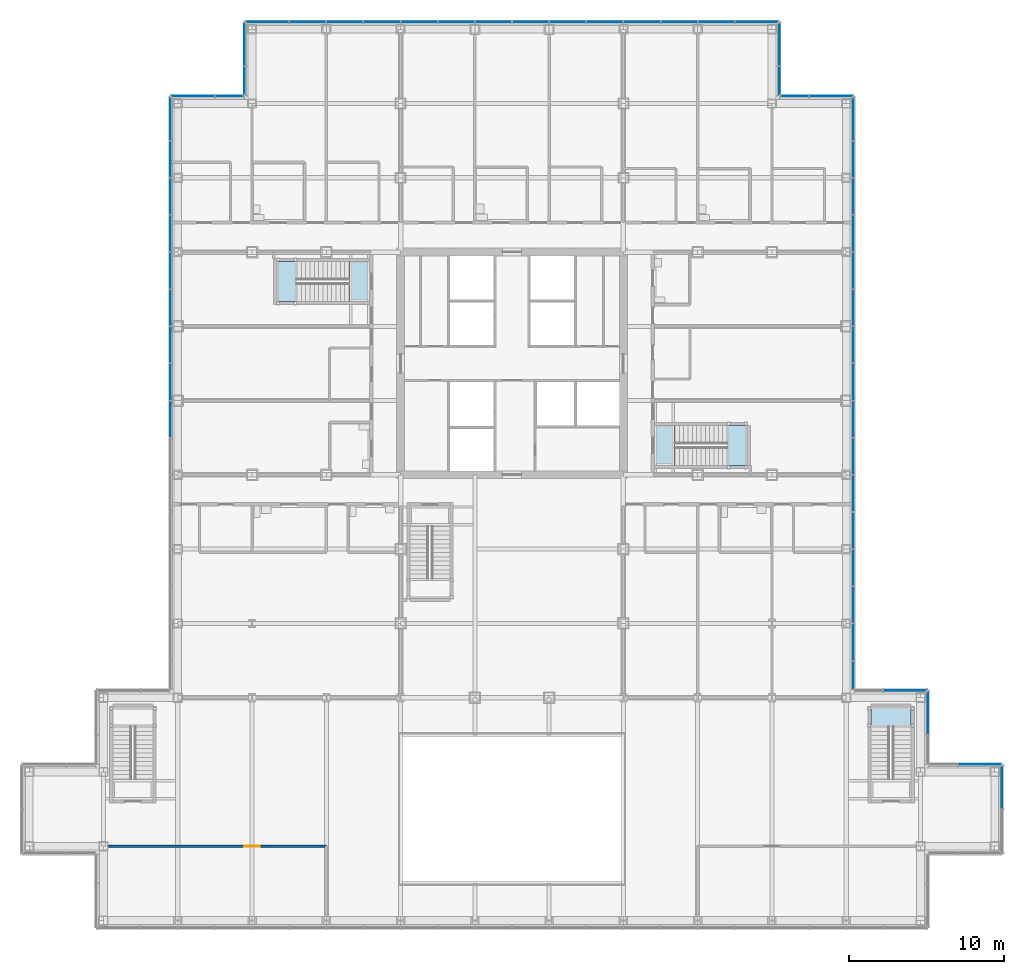
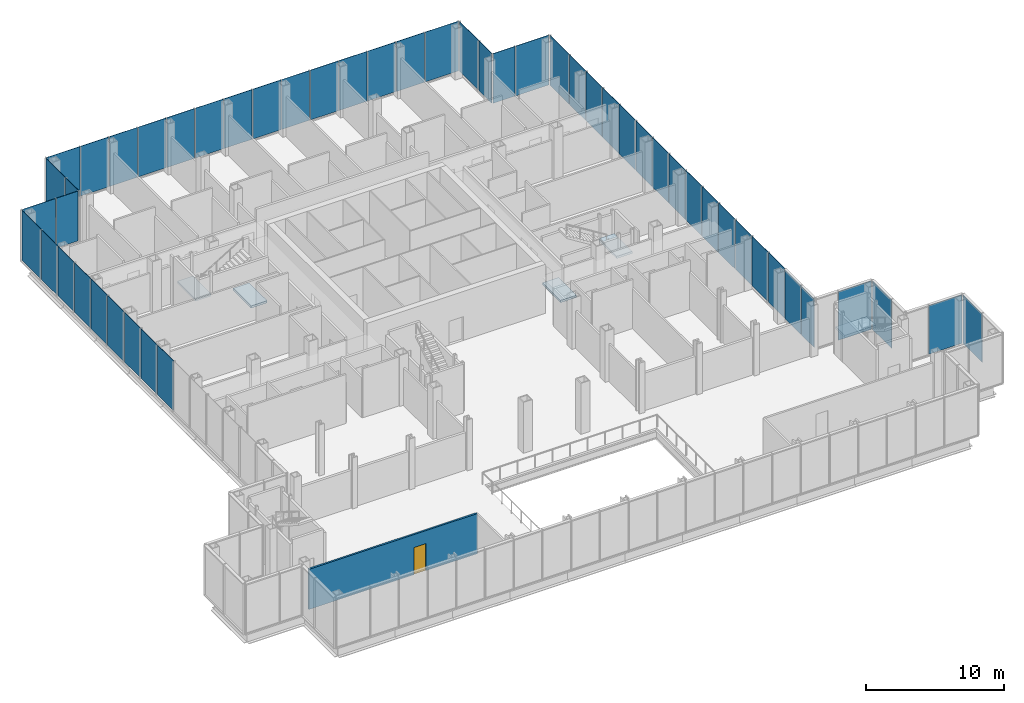
# One storey, part 19 of 26: 51 plates, 5 slabs, 1 door, 1 wall, 1 opening, 14 elements without a shape of their own.
"""IFC4 building model written with IfcOpenShell, lengths in metres."""

from ifc_helpers import new_model, si_unit, direction, frame, frame_2d, origin, origin_2d, place, context, subcontext, project, spatial, polyline, rectangle, outline, extrude, material, layer, layer_set, type_object, element, fill, aggregate, save


model = new_model("IFC4")

# Units and contexts
model_context = context("Model", 3, precision=1e-05, world=origin(), true_north=direction((0.0, 1.0)))
body_context = subcontext(model_context, "Body", "Model", "MODEL_VIEW")
ifc_project = project(units=[si_unit("LENGTHUNIT", "METRE"), si_unit("AREAUNIT", "SQUARE_METRE"), si_unit("VOLUMEUNIT", "CUBIC_METRE"), si_unit("PLANEANGLEUNIT", "RADIAN"), si_unit("MASSUNIT", "GRAM", prefix="KILO")], contexts=[model_context])

# Site, building, storey
site_placement = place(None, origin())
site = spatial("IfcSite", under=ifc_project, at=site_placement, CompositionType="ELEMENT")
building_placement = place(site_placement, origin())
building = spatial("IfcBuilding", under=site, at=building_placement, Name="Kvirike Care Tower", CompositionType="ELEMENT")
storey_placement = place(building_placement, frame((0.0, 0.0, 18.0)))
storey = spatial("IfcBuildingStorey", under=building, at=storey_placement, Name="L04", CompositionType="ELEMENT", Elevation=18.0)

# Curtain wall, plate
ifc_material_1 = material(Name="Anodised aluminium stick system", Category="aluminium")
curtain_wall_type = type_object("IfcCurtainWallType", Name="CW-P PODIUM STICK CURTAIN WALL", PredefinedType="NOTDEFINED", material=ifc_material_1)
curtain_wall_1_placement = place(storey_placement, origin())
curtain_wall_1 = element("IfcCurtainWall", 1, at=curtain_wall_1_placement, inside=storey, type_object=curtain_wall_type, Name="Curtain wall L04 face 4", PredefinedType="NOTDEFINED")
ifc_material_2 = material(Name="Tinted double glazed unit", Category="glass")
ifc_layer_1 = layer(ifc_material_2, 0.031982421875)
ifc_layer_set_1 = layer_set([ifc_layer_1], Name="PODIUM VISION PANEL 32")
plate_type = type_object("IfcPlateType", Name="PODIUM VISION PANEL 32", PredefinedType="CURTAIN_PANEL", material=ifc_layer_set_1)
plate_1_placement = place(storey_placement, frame((53.27490234375, 8.621337890625, 0.10009765625), z_axis=(0.0, 0.0, 1.0), x_axis=(0.0, 1.0, 0.0)))
plate_1 = element("IfcPlate", 2, at=plate_1_placement, type_object=plate_type, Name="CW-P panel L04 face 4.2", PredefinedType="CURTAIN_PANEL", context=body_context, shape_type="SweptSolid", body=[
    extrude(rectangle(XDim=2.777587890625, YDim=0.031982421875, at=origin_2d()), origin(), (0.0, 0.0, 1.0), 4.300048828125),
])
aggregate(curtain_wall_1, [plate_1])

curtain_wall_2_placement = place(storey_placement, origin())
curtain_wall_2 = element("IfcCurtainWall", 3, at=curtain_wall_2_placement, inside=storey, type_object=curtain_wall_type, Name="Curtain wall L04 face 5", PredefinedType="NOTDEFINED")
plate_2_placement = place(storey_placement, frame((51.8212890625, 10.074951171875, 0.10009765625), z_axis=(0.0, 0.0, 1.0), x_axis=(-1.0, 0.0, 0.0)))
plate_2 = element("IfcPlate", 4, at=plate_2_placement, type_object=plate_type, Name="CW-P panel L04 face 5.1", PredefinedType="CURTAIN_PANEL", context=body_context, shape_type="SweptSolid", body=[
    extrude(rectangle(XDim=2.777587890625, YDim=0.031982421875, at=origin_2d()), origin(), (0.0, 0.0, 1.0), 4.300048828125),
])
aggregate(curtain_wall_2, [plate_2])

curtain_wall_3_placement = place(storey_placement, origin())
curtain_wall_3 = element("IfcCurtainWall", 5, at=curtain_wall_3_placement, inside=storey, type_object=curtain_wall_type, Name="Curtain wall L04 face 6", PredefinedType="NOTDEFINED")
plate_3_placement = place(storey_placement, frame((48.47509765625, 13.421142578125, 0.10009765625), z_axis=(0.0, 0.0, 1.0), x_axis=(0.0, 1.0, 0.0)))
plate_3 = element("IfcPlate", 6, at=plate_3_placement, type_object=plate_type, Name="CW-P panel L04 face 6.2", PredefinedType="CURTAIN_PANEL", context=body_context, shape_type="SweptSolid", body=[
    extrude(rectangle(XDim=2.777587890625, YDim=0.031982421875, at=origin_2d()), origin(), (0.0, 0.0, 1.0), 4.300048828125),
])
aggregate(curtain_wall_3, [plate_3])

curtain_wall_4_placement = place(storey_placement, origin())
curtain_wall_4 = element("IfcCurtainWall", 7, at=curtain_wall_4_placement, inside=storey, type_object=curtain_wall_type, Name="Curtain wall L04 face 7", PredefinedType="NOTDEFINED")
plate_4_placement = place(storey_placement, frame((47.021240234375, 14.875, 0.10009765625), z_axis=(0.0, 0.0, 1.0), x_axis=(-1.0, 0.0, 0.0)))
plate_4 = element("IfcPlate", 8, at=plate_4_placement, type_object=plate_type, Name="CW-P panel L04 face 7.1", PredefinedType="CURTAIN_PANEL", context=body_context, shape_type="SweptSolid", body=[
    extrude(rectangle(XDim=2.777587890625, YDim=0.031982421875, at=origin_2d()), origin(), (0.0, 0.0, 1.0), 4.300048828125),
])
aggregate(curtain_wall_4, [plate_4])

# Curtain wall, plates
curtain_wall_5_placement = place(storey_placement, origin())
curtain_wall_5 = element("IfcCurtainWall", 9, at=curtain_wall_5_placement, inside=storey, type_object=curtain_wall_type, Name="Curtain wall L04 face 8", PredefinedType="NOTDEFINED")
plate_5_placement = place(storey_placement, frame((43.675048828125, 15.853759765625, 0.10009765625), z_axis=(0.0, 0.0, 1.0), x_axis=(0.0, 1.0, 0.0)))
plate_5 = element("IfcPlate", 10, at=plate_5_placement, type_object=plate_type, Name="CW-P panel L04 face 8.1", PredefinedType="CURTAIN_PANEL", context=body_context, shape_type="SweptSolid", body=[
    extrude(rectangle(XDim=1.827392578125, YDim=0.031982421875, at=origin_2d()), origin(), (0.0, 0.0, 1.0), 4.300048828125),
])
plate_6_placement = place(storey_placement, frame((43.675048828125, 18.0, 0.10009765625), z_axis=(0.0, 0.0, 1.0), x_axis=(0.0, 1.0, 0.0)))
plate_6 = element("IfcPlate", 11, at=plate_6_placement, type_object=plate_type, Name="CW-P panel L04 face 8.2", PredefinedType="CURTAIN_PANEL", context=body_context, shape_type="SweptSolid", body=[
    extrude(rectangle(XDim=2.3349609375, YDim=0.031982421875, at=origin_2d()), origin(), (0.0, 0.0, 1.0), 4.300048828125),
])
plate_7_placement = place(storey_placement, frame((43.675048828125, 20.39990234375, 0.10009765625), z_axis=(0.0, 0.0, 1.0), x_axis=(0.0, 1.0, 0.0)))
plate_7 = element("IfcPlate", 12, at=plate_7_placement, type_object=plate_type, Name="CW-P panel L04 face 8.3", PredefinedType="CURTAIN_PANEL", context=body_context, shape_type="SweptSolid", body=[
    extrude(rectangle(XDim=2.3349609375, YDim=0.031982421875, at=origin_2d()), origin(), (0.0, 0.0, 1.0), 4.39990234375),
])
plate_8_placement = place(storey_placement, frame((43.675048828125, 22.800048828125, 0.10009765625), z_axis=(0.0, 0.0, 1.0), x_axis=(0.0, 1.0, 0.0)))
plate_8 = element("IfcPlate", 13, at=plate_8_placement, type_object=plate_type, Name="CW-P panel L04 face 8.4", PredefinedType="CURTAIN_PANEL", context=body_context, shape_type="SweptSolid", body=[
    extrude(rectangle(XDim=2.3349609375, YDim=0.031982421875, at=origin_2d()), origin(), (0.0, 0.0, 1.0), 4.39990234375),
])
plate_9_placement = place(storey_placement, frame((43.675048828125, 25.199951171875, 0.10009765625), z_axis=(0.0, 0.0, 1.0), x_axis=(0.0, 1.0, 0.0)))
plate_9 = element("IfcPlate", 14, at=plate_9_placement, type_object=plate_type, Name="CW-P panel L04 face 8.5", PredefinedType="CURTAIN_PANEL", context=body_context, shape_type="SweptSolid", body=[
    extrude(rectangle(XDim=2.3349609375, YDim=0.031982421875, at=origin_2d()), origin(), (0.0, 0.0, 1.0), 4.39990234375),
])
plate_10_placement = place(storey_placement, frame((43.675048828125, 27.60009765625, 0.10009765625), z_axis=(0.0, 0.0, 1.0), x_axis=(0.0, 1.0, 0.0)))
plate_10 = element("IfcPlate", 15, at=plate_10_placement, type_object=plate_type, Name="CW-P panel L04 face 8.6", PredefinedType="CURTAIN_PANEL", context=body_context, shape_type="SweptSolid", body=[
    extrude(rectangle(XDim=2.3349609375, YDim=0.031982421875, at=origin_2d()), origin(), (0.0, 0.0, 1.0), 4.39990234375),
])
plate_11_placement = place(storey_placement, frame((43.675048828125, 30.0, 0.10009765625), z_axis=(0.0, 0.0, 1.0), x_axis=(0.0, 1.0, 0.0)))
plate_11 = element("IfcPlate", 16, at=plate_11_placement, type_object=plate_type, Name="CW-P panel L04 face 8.7", PredefinedType="CURTAIN_PANEL", context=body_context, shape_type="SweptSolid", body=[
    extrude(rectangle(XDim=2.3349609375, YDim=0.031982421875, at=origin_2d()), origin(), (0.0, 0.0, 1.0), 4.39990234375),
])
plate_12_placement = place(storey_placement, frame((43.675048828125, 32.39990234375, 0.10009765625), z_axis=(0.0, 0.0, 1.0), x_axis=(0.0, 1.0, 0.0)))
plate_12 = element("IfcPlate", 17, at=plate_12_placement, type_object=plate_type, Name="CW-P panel L04 face 8.8", PredefinedType="CURTAIN_PANEL", context=body_context, shape_type="SweptSolid", body=[
    extrude(rectangle(XDim=2.3349609375, YDim=0.031982421875, at=origin_2d()), origin(), (0.0, 0.0, 1.0), 4.39990234375),
])
plate_13_placement = place(storey_placement, frame((43.675048828125, 34.800048828125, 0.10009765625), z_axis=(0.0, 0.0, 1.0), x_axis=(0.0, 1.0, 0.0)))
plate_13 = element("IfcPlate", 18, at=plate_13_placement, type_object=plate_type, Name="CW-P panel L04 face 8.9", PredefinedType="CURTAIN_PANEL", context=body_context, shape_type="SweptSolid", body=[
    extrude(rectangle(XDim=2.3349609375, YDim=0.031982421875, at=origin_2d()), origin(), (0.0, 0.0, 1.0), 4.39990234375),
])
plate_14_placement = place(storey_placement, frame((43.675048828125, 37.199951171875, 0.10009765625), z_axis=(0.0, 0.0, 1.0), x_axis=(0.0, 1.0, 0.0)))
plate_14 = element("IfcPlate", 19, at=plate_14_placement, type_object=plate_type, Name="CW-P panel L04 face 8.10", PredefinedType="CURTAIN_PANEL", context=body_context, shape_type="SweptSolid", body=[
    extrude(rectangle(XDim=2.3349609375, YDim=0.031982421875, at=origin_2d()), origin(), (0.0, 0.0, 1.0), 4.39990234375),
])
plate_15_placement = place(storey_placement, frame((43.675048828125, 39.60009765625, 0.10009765625), z_axis=(0.0, 0.0, 1.0), x_axis=(0.0, 1.0, 0.0)))
plate_15 = element("IfcPlate", 20, at=plate_15_placement, type_object=plate_type, Name="CW-P panel L04 face 8.11", PredefinedType="CURTAIN_PANEL", context=body_context, shape_type="SweptSolid", body=[
    extrude(rectangle(XDim=2.3349609375, YDim=0.031982421875, at=origin_2d()), origin(), (0.0, 0.0, 1.0), 4.39990234375),
])
plate_16_placement = place(storey_placement, frame((43.675048828125, 42.0, 0.10009765625), z_axis=(0.0, 0.0, 1.0), x_axis=(0.0, 1.0, 0.0)))
plate_16 = element("IfcPlate", 21, at=plate_16_placement, type_object=plate_type, Name="CW-P panel L04 face 8.12", PredefinedType="CURTAIN_PANEL", context=body_context, shape_type="SweptSolid", body=[
    extrude(rectangle(XDim=2.3349609375, YDim=0.031982421875, at=origin_2d()), origin(), (0.0, 0.0, 1.0), 4.39990234375),
])
plate_17_placement = place(storey_placement, frame((43.675048828125, 44.39990234375, 0.10009765625), z_axis=(0.0, 0.0, 1.0), x_axis=(0.0, 1.0, 0.0)))
plate_17 = element("IfcPlate", 22, at=plate_17_placement, type_object=plate_type, Name="CW-P panel L04 face 8.13", PredefinedType="CURTAIN_PANEL", context=body_context, shape_type="SweptSolid", body=[
    extrude(rectangle(XDim=2.3349609375, YDim=0.031982421875, at=origin_2d()), origin(), (0.0, 0.0, 1.0), 4.39990234375),
])
plate_18_placement = place(storey_placement, frame((43.675048828125, 46.800048828125, 0.10009765625), z_axis=(0.0, 0.0, 1.0), x_axis=(0.0, 1.0, 0.0)))
plate_18 = element("IfcPlate", 23, at=plate_18_placement, type_object=plate_type, Name="CW-P panel L04 face 8.14", PredefinedType="CURTAIN_PANEL", context=body_context, shape_type="SweptSolid", body=[
    extrude(rectangle(XDim=2.3349609375, YDim=0.031982421875, at=origin_2d()), origin(), (0.0, 0.0, 1.0), 4.39990234375),
])
plate_19_placement = place(storey_placement, frame((43.675048828125, 49.199951171875, 0.10009765625), z_axis=(0.0, 0.0, 1.0), x_axis=(0.0, 1.0, 0.0)))
plate_19 = element("IfcPlate", 24, at=plate_19_placement, type_object=plate_type, Name="CW-P panel L04 face 8.15", PredefinedType="CURTAIN_PANEL", context=body_context, shape_type="SweptSolid", body=[
    extrude(rectangle(XDim=2.3349609375, YDim=0.031982421875, at=origin_2d()), origin(), (0.0, 0.0, 1.0), 4.39990234375),
])
plate_20_placement = place(storey_placement, frame((43.675048828125, 51.8212890625, 0.10009765625), z_axis=(0.0, 0.0, 1.0), x_axis=(0.0, 1.0, 0.0)))
plate_20 = element("IfcPlate", 25, at=plate_20_placement, type_object=plate_type, Name="CW-P panel L04 face 8.16", PredefinedType="CURTAIN_PANEL", context=body_context, shape_type="SweptSolid", body=[
    extrude(rectangle(XDim=2.777587890625, YDim=0.031982421875, at=origin_2d()), origin(), (0.0, 0.0, 1.0), 4.39990234375),
])
aggregate(curtain_wall_5, [plate_5, plate_6, plate_7, plate_8, plate_9, plate_10, plate_11, plate_12, plate_13, plate_14, plate_15, plate_16, plate_17, plate_18, plate_19, plate_20])

curtain_wall_6_placement = place(storey_placement, origin())
curtain_wall_6 = element("IfcCurtainWall", 26, at=curtain_wall_6_placement, inside=storey, type_object=curtain_wall_type, Name="Curtain wall L04 face 9", PredefinedType="NOTDEFINED")
plate_21_placement = place(storey_placement, frame((42.22119140625, 53.27490234375, 0.10009765625), z_axis=(0.0, 0.0, 1.0), x_axis=(-1.0, 0.0, 0.0)))
plate_21 = element("IfcPlate", 27, at=plate_21_placement, type_object=plate_type, Name="CW-P panel L04 face 9.1", PredefinedType="CURTAIN_PANEL", context=body_context, shape_type="SweptSolid", body=[
    extrude(rectangle(XDim=2.777587890625, YDim=0.031982421875, at=origin_2d()), origin(), (0.0, 0.0, 1.0), 4.39990234375),
])
plate_22_placement = place(storey_placement, frame((39.853759765625, 53.27490234375, 0.10009765625), z_axis=(0.0, 0.0, 1.0), x_axis=(-1.0, 0.0, 0.0)))
plate_22 = element("IfcPlate", 28, at=plate_22_placement, type_object=plate_type, Name="CW-P panel L04 face 9.2", PredefinedType="CURTAIN_PANEL", context=body_context, shape_type="SweptSolid", body=[
    extrude(rectangle(XDim=1.827392578125, YDim=0.031982421875, at=origin_2d()), origin(), (0.0, 0.0, 1.0), 4.39990234375),
])
aggregate(curtain_wall_6, [plate_21, plate_22])

curtain_wall_7_placement = place(storey_placement, origin())
curtain_wall_7 = element("IfcCurtainWall", 29, at=curtain_wall_7_placement, inside=storey, type_object=curtain_wall_type, Name="Curtain wall L04 face 10", PredefinedType="NOTDEFINED")
plate_23_placement = place(storey_placement, frame((38.875, 54.253662109375, 0.10009765625), z_axis=(0.0, 0.0, 1.0), x_axis=(0.0, 1.0, 0.0)))
plate_23 = element("IfcPlate", 30, at=plate_23_placement, type_object=plate_type, Name="CW-P panel L04 face 10.1", PredefinedType="CURTAIN_PANEL", context=body_context, shape_type="SweptSolid", body=[
    extrude(rectangle(XDim=1.827392578125, YDim=0.031982421875, at=origin_2d()), origin(), (0.0, 0.0, 1.0), 4.39990234375),
])
plate_24_placement = place(storey_placement, frame((38.875, 56.621337890625, 0.10009765625), z_axis=(0.0, 0.0, 1.0), x_axis=(0.0, 1.0, 0.0)))
plate_24 = element("IfcPlate", 31, at=plate_24_placement, type_object=plate_type, Name="CW-P panel L04 face 10.2", PredefinedType="CURTAIN_PANEL", context=body_context, shape_type="SweptSolid", body=[
    extrude(rectangle(XDim=2.777587890625, YDim=0.031982421875, at=origin_2d()), origin(), (0.0, 0.0, 1.0), 4.39990234375),
])
aggregate(curtain_wall_7, [plate_23, plate_24])

curtain_wall_8_placement = place(storey_placement, origin())
curtain_wall_8 = element("IfcCurtainWall", 32, at=curtain_wall_8_placement, inside=storey, type_object=curtain_wall_type, Name="Curtain wall L04 face 11", PredefinedType="NOTDEFINED")
plate_25_placement = place(storey_placement, frame((37.421142578125, 58.074951171875, 0.10009765625), z_axis=(0.0, 0.0, 1.0), x_axis=(-1.0, 0.0, 0.0)))
plate_25 = element("IfcPlate", 33, at=plate_25_placement, type_object=plate_type, Name="CW-P panel L04 face 11.1", PredefinedType="CURTAIN_PANEL", context=body_context, shape_type="SweptSolid", body=[
    extrude(rectangle(XDim=2.777587890625, YDim=0.031982421875, at=origin_2d()), origin(), (0.0, 0.0, 1.0), 4.39990234375),
])
plate_26_placement = place(storey_placement, frame((34.800048828125, 58.074951171875, 0.10009765625), z_axis=(0.0, 0.0, 1.0), x_axis=(-1.0, 0.0, 0.0)))
plate_26 = element("IfcPlate", 34, at=plate_26_placement, type_object=plate_type, Name="CW-P panel L04 face 11.2", PredefinedType="CURTAIN_PANEL", context=body_context, shape_type="SweptSolid", body=[
    extrude(rectangle(XDim=2.3349609375, YDim=0.031982421875, at=origin_2d()), origin(), (0.0, 0.0, 1.0), 4.39990234375),
])
plate_27_placement = place(storey_placement, frame((32.39990234375, 58.074951171875, 0.10009765625), z_axis=(0.0, 0.0, 1.0), x_axis=(-1.0, 0.0, 0.0)))
plate_27 = element("IfcPlate", 35, at=plate_27_placement, type_object=plate_type, Name="CW-P panel L04 face 11.3", PredefinedType="CURTAIN_PANEL", context=body_context, shape_type="SweptSolid", body=[
    extrude(rectangle(XDim=2.3349609375, YDim=0.031982421875, at=origin_2d()), origin(), (0.0, 0.0, 1.0), 4.39990234375),
])
plate_28_placement = place(storey_placement, frame((30.0, 58.074951171875, 0.10009765625), z_axis=(0.0, 0.0, 1.0), x_axis=(-1.0, 0.0, 0.0)))
plate_28 = element("IfcPlate", 36, at=plate_28_placement, type_object=plate_type, Name="CW-P panel L04 face 11.4", PredefinedType="CURTAIN_PANEL", context=body_context, shape_type="SweptSolid", body=[
    extrude(rectangle(XDim=2.3349609375, YDim=0.031982421875, at=origin_2d()), origin(), (0.0, 0.0, 1.0), 4.39990234375),
])
plate_29_placement = place(storey_placement, frame((27.60009765625, 58.074951171875, 0.10009765625), z_axis=(0.0, 0.0, 1.0), x_axis=(-1.0, 0.0, 0.0)))
plate_29 = element("IfcPlate", 37, at=plate_29_placement, type_object=plate_type, Name="CW-P panel L04 face 11.5", PredefinedType="CURTAIN_PANEL", context=body_context, shape_type="SweptSolid", body=[
    extrude(rectangle(XDim=2.3349609375, YDim=0.031982421875, at=origin_2d()), origin(), (0.0, 0.0, 1.0), 4.39990234375),
])
plate_30_placement = place(storey_placement, frame((25.199951171875, 58.074951171875, 0.10009765625), z_axis=(0.0, 0.0, 1.0), x_axis=(-1.0, 0.0, 0.0)))
plate_30 = element("IfcPlate", 38, at=plate_30_placement, type_object=plate_type, Name="CW-P panel L04 face 11.6", PredefinedType="CURTAIN_PANEL", context=body_context, shape_type="SweptSolid", body=[
    extrude(rectangle(XDim=2.3349609375, YDim=0.031982421875, at=origin_2d()), origin(), (0.0, 0.0, 1.0), 4.39990234375),
])
plate_31_placement = place(storey_placement, frame((22.800048828125, 58.074951171875, 0.10009765625), z_axis=(0.0, 0.0, 1.0), x_axis=(-1.0, 0.0, 0.0)))
plate_31 = element("IfcPlate", 39, at=plate_31_placement, type_object=plate_type, Name="CW-P panel L04 face 11.7", PredefinedType="CURTAIN_PANEL", context=body_context, shape_type="SweptSolid", body=[
    extrude(rectangle(XDim=2.3349609375, YDim=0.031982421875, at=origin_2d()), origin(), (0.0, 0.0, 1.0), 4.39990234375),
])
plate_32_placement = place(storey_placement, frame((20.39990234375, 58.074951171875, 0.10009765625), z_axis=(0.0, 0.0, 1.0), x_axis=(-1.0, 0.0, 0.0)))
plate_32 = element("IfcPlate", 40, at=plate_32_placement, type_object=plate_type, Name="CW-P panel L04 face 11.8", PredefinedType="CURTAIN_PANEL", context=body_context, shape_type="SweptSolid", body=[
    extrude(rectangle(XDim=2.3349609375, YDim=0.031982421875, at=origin_2d()), origin(), (0.0, 0.0, 1.0), 4.39990234375),
])
plate_33_placement = place(storey_placement, frame((18.0, 58.074951171875, 0.10009765625), z_axis=(0.0, 0.0, 1.0), x_axis=(-1.0, 0.0, 0.0)))
plate_33 = element("IfcPlate", 41, at=plate_33_placement, type_object=plate_type, Name="CW-P panel L04 face 11.9", PredefinedType="CURTAIN_PANEL", context=body_context, shape_type="SweptSolid", body=[
    extrude(rectangle(XDim=2.3349609375, YDim=0.031982421875, at=origin_2d()), origin(), (0.0, 0.0, 1.0), 4.39990234375),
])
plate_34_placement = place(storey_placement, frame((15.60009765625, 58.074951171875, 0.10009765625), z_axis=(0.0, 0.0, 1.0), x_axis=(-1.0, 0.0, 0.0)))
plate_34 = element("IfcPlate", 42, at=plate_34_placement, type_object=plate_type, Name="CW-P panel L04 face 11.10", PredefinedType="CURTAIN_PANEL", context=body_context, shape_type="SweptSolid", body=[
    extrude(rectangle(XDim=2.3349609375, YDim=0.031982421875, at=origin_2d()), origin(), (0.0, 0.0, 1.0), 4.39990234375),
])
plate_35_placement = place(storey_placement, frame((13.199951171875, 58.074951171875, 0.10009765625), z_axis=(0.0, 0.0, 1.0), x_axis=(-1.0, 0.0, 0.0)))
plate_35 = element("IfcPlate", 43, at=plate_35_placement, type_object=plate_type, Name="CW-P panel L04 face 11.11", PredefinedType="CURTAIN_PANEL", context=body_context, shape_type="SweptSolid", body=[
    extrude(rectangle(XDim=2.3349609375, YDim=0.031982421875, at=origin_2d()), origin(), (0.0, 0.0, 1.0), 4.39990234375),
])
plate_36_placement = place(storey_placement, frame((10.800048828125, 58.074951171875, 0.10009765625), z_axis=(0.0, 0.0, 1.0), x_axis=(-1.0, 0.0, 0.0)))
plate_36 = element("IfcPlate", 44, at=plate_36_placement, type_object=plate_type, Name="CW-P panel L04 face 11.12", PredefinedType="CURTAIN_PANEL", context=body_context, shape_type="SweptSolid", body=[
    extrude(rectangle(XDim=2.3349609375, YDim=0.031982421875, at=origin_2d()), origin(), (0.0, 0.0, 1.0), 4.39990234375),
])
plate_37_placement = place(storey_placement, frame((8.39990234375, 58.074951171875, 0.10009765625), z_axis=(0.0, 0.0, 1.0), x_axis=(-1.0, 0.0, 0.0)))
plate_37 = element("IfcPlate", 45, at=plate_37_placement, type_object=plate_type, Name="CW-P panel L04 face 11.13", PredefinedType="CURTAIN_PANEL", context=body_context, shape_type="SweptSolid", body=[
    extrude(rectangle(XDim=2.3349609375, YDim=0.031982421875, at=origin_2d()), origin(), (0.0, 0.0, 1.0), 4.39990234375),
])
plate_38_placement = place(storey_placement, frame((5.77880859375, 58.074951171875, 0.10009765625), z_axis=(0.0, 0.0, 1.0), x_axis=(-1.0, 0.0, 0.0)))
plate_38 = element("IfcPlate", 46, at=plate_38_placement, type_object=plate_type, Name="CW-P panel L04 face 11.14", PredefinedType="CURTAIN_PANEL", context=body_context, shape_type="SweptSolid", body=[
    extrude(rectangle(XDim=2.777587890625, YDim=0.031982421875, at=origin_2d()), origin(), (0.0, 0.0, 1.0), 4.39990234375),
])
aggregate(curtain_wall_8, [plate_25, plate_26, plate_27, plate_28, plate_29, plate_30, plate_31, plate_32, plate_33, plate_34, plate_35, plate_36, plate_37, plate_38])

curtain_wall_9_placement = place(storey_placement, origin())
curtain_wall_9 = element("IfcCurtainWall", 47, at=curtain_wall_9_placement, inside=storey, type_object=curtain_wall_type, Name="Curtain wall L04 face 12", PredefinedType="NOTDEFINED")
plate_39_placement = place(storey_placement, frame((4.324951171875, 56.621337890625, 0.10009765625), z_axis=(0.0, 0.0, 1.0), x_axis=(0.0, -1.0, 0.0)))
plate_39 = element("IfcPlate", 48, at=plate_39_placement, type_object=plate_type, Name="CW-P panel L04 face 12.1", PredefinedType="CURTAIN_PANEL", context=body_context, shape_type="SweptSolid", body=[
    extrude(rectangle(XDim=2.777587890625, YDim=0.031982421875, at=origin_2d()), origin(), (0.0, 0.0, 1.0), 4.39990234375),
])
plate_40_placement = place(storey_placement, frame((4.324951171875, 54.253662109375, 0.10009765625), z_axis=(0.0, 0.0, 1.0), x_axis=(0.0, -1.0, 0.0)))
plate_40 = element("IfcPlate", 49, at=plate_40_placement, type_object=plate_type, Name="CW-P panel L04 face 12.2", PredefinedType="CURTAIN_PANEL", context=body_context, shape_type="SweptSolid", body=[
    extrude(rectangle(XDim=1.827392578125, YDim=0.031982421875, at=origin_2d()), origin(), (0.0, 0.0, 1.0), 4.39990234375),
])
aggregate(curtain_wall_9, [plate_39, plate_40])

curtain_wall_10_placement = place(storey_placement, origin())
curtain_wall_10 = element("IfcCurtainWall", 50, at=curtain_wall_10_placement, inside=storey, type_object=curtain_wall_type, Name="Curtain wall L04 face 13", PredefinedType="NOTDEFINED")
plate_41_placement = place(storey_placement, frame((3.34619140625, 53.27490234375, 0.10009765625), z_axis=(0.0, 0.0, 1.0), x_axis=(-1.0, 0.0, 0.0)))
plate_41 = element("IfcPlate", 51, at=plate_41_placement, type_object=plate_type, Name="CW-P panel L04 face 13.1", PredefinedType="CURTAIN_PANEL", context=body_context, shape_type="SweptSolid", body=[
    extrude(rectangle(XDim=1.827392578125, YDim=0.031982421875, at=origin_2d()), origin(), (0.0, 0.0, 1.0), 4.39990234375),
])
plate_42_placement = place(storey_placement, frame((0.978759765625, 53.27490234375, 0.10009765625), z_axis=(0.0, 0.0, 1.0), x_axis=(-1.0, 0.0, 0.0)))
plate_42 = element("IfcPlate", 52, at=plate_42_placement, type_object=plate_type, Name="CW-P panel L04 face 13.2", PredefinedType="CURTAIN_PANEL", context=body_context, shape_type="SweptSolid", body=[
    extrude(rectangle(XDim=2.777587890625, YDim=0.031982421875, at=origin_2d()), origin(), (0.0, 0.0, 1.0), 4.39990234375),
])
aggregate(curtain_wall_10, [plate_41, plate_42])

curtain_wall_11_placement = place(storey_placement, origin())
curtain_wall_11 = element("IfcCurtainWall", 53, at=curtain_wall_11_placement, inside=storey, type_object=curtain_wall_type, Name="Curtain wall L04 face 14", PredefinedType="NOTDEFINED")
plate_43_placement = place(storey_placement, frame((-0.47509765625, 51.8212890625, 0.10009765625), z_axis=(0.0, 0.0, 1.0), x_axis=(0.0, -1.0, 0.0)))
plate_43 = element("IfcPlate", 54, at=plate_43_placement, type_object=plate_type, Name="CW-P panel L04 face 14.1", PredefinedType="CURTAIN_PANEL", context=body_context, shape_type="SweptSolid", body=[
    extrude(rectangle(XDim=2.777587890625, YDim=0.031982421875, at=origin_2d()), origin(), (0.0, 0.0, 1.0), 4.39990234375),
])
plate_44_placement = place(storey_placement, frame((-0.47509765625, 49.199951171875, 0.10009765625), z_axis=(0.0, 0.0, 1.0), x_axis=(0.0, -1.0, 0.0)))
plate_44 = element("IfcPlate", 55, at=plate_44_placement, type_object=plate_type, Name="CW-P panel L04 face 14.2", PredefinedType="CURTAIN_PANEL", context=body_context, shape_type="SweptSolid", body=[
    extrude(rectangle(XDim=2.3349609375, YDim=0.031982421875, at=origin_2d()), origin(), (0.0, 0.0, 1.0), 4.39990234375),
])
plate_45_placement = place(storey_placement, frame((-0.47509765625, 46.800048828125, 0.10009765625), z_axis=(0.0, 0.0, 1.0), x_axis=(0.0, -1.0, 0.0)))
plate_45 = element("IfcPlate", 56, at=plate_45_placement, type_object=plate_type, Name="CW-P panel L04 face 14.3", PredefinedType="CURTAIN_PANEL", context=body_context, shape_type="SweptSolid", body=[
    extrude(rectangle(XDim=2.3349609375, YDim=0.031982421875, at=origin_2d()), origin(), (0.0, 0.0, 1.0), 4.39990234375),
])
plate_46_placement = place(storey_placement, frame((-0.47509765625, 44.39990234375, 0.10009765625), z_axis=(0.0, 0.0, 1.0), x_axis=(0.0, -1.0, 0.0)))
plate_46 = element("IfcPlate", 57, at=plate_46_placement, type_object=plate_type, Name="CW-P panel L04 face 14.4", PredefinedType="CURTAIN_PANEL", context=body_context, shape_type="SweptSolid", body=[
    extrude(rectangle(XDim=2.3349609375, YDim=0.031982421875, at=origin_2d()), origin(), (0.0, 0.0, 1.0), 4.39990234375),
])
plate_47_placement = place(storey_placement, frame((-0.47509765625, 42.0, 0.10009765625), z_axis=(0.0, 0.0, 1.0), x_axis=(0.0, -1.0, 0.0)))
plate_47 = element("IfcPlate", 58, at=plate_47_placement, type_object=plate_type, Name="CW-P panel L04 face 14.5", PredefinedType="CURTAIN_PANEL", context=body_context, shape_type="SweptSolid", body=[
    extrude(rectangle(XDim=2.3349609375, YDim=0.031982421875, at=origin_2d()), origin(), (0.0, 0.0, 1.0), 4.39990234375),
])
plate_48_placement = place(storey_placement, frame((-0.47509765625, 39.60009765625, 0.10009765625), z_axis=(0.0, 0.0, 1.0), x_axis=(0.0, -1.0, 0.0)))
plate_48 = element("IfcPlate", 59, at=plate_48_placement, type_object=plate_type, Name="CW-P panel L04 face 14.6", PredefinedType="CURTAIN_PANEL", context=body_context, shape_type="SweptSolid", body=[
    extrude(rectangle(XDim=2.3349609375, YDim=0.031982421875, at=origin_2d()), origin(), (0.0, 0.0, 1.0), 4.39990234375),
])
plate_49_placement = place(storey_placement, frame((-0.47509765625, 37.199951171875, 0.10009765625), z_axis=(0.0, 0.0, 1.0), x_axis=(0.0, -1.0, 0.0)))
plate_49 = element("IfcPlate", 60, at=plate_49_placement, type_object=plate_type, Name="CW-P panel L04 face 14.7", PredefinedType="CURTAIN_PANEL", context=body_context, shape_type="SweptSolid", body=[
    extrude(rectangle(XDim=2.3349609375, YDim=0.031982421875, at=origin_2d()), origin(), (0.0, 0.0, 1.0), 4.39990234375),
])
plate_50_placement = place(storey_placement, frame((-0.47509765625, 34.800048828125, 0.10009765625), z_axis=(0.0, 0.0, 1.0), x_axis=(0.0, -1.0, 0.0)))
plate_50 = element("IfcPlate", 61, at=plate_50_placement, type_object=plate_type, Name="CW-P panel L04 face 14.8", PredefinedType="CURTAIN_PANEL", context=body_context, shape_type="SweptSolid", body=[
    extrude(rectangle(XDim=2.3349609375, YDim=0.031982421875, at=origin_2d()), origin(), (0.0, 0.0, 1.0), 4.39990234375),
])
plate_51_placement = place(storey_placement, frame((-0.47509765625, 32.39990234375, 0.10009765625), z_axis=(0.0, 0.0, 1.0), x_axis=(0.0, -1.0, 0.0)))
plate_51 = element("IfcPlate", 62, at=plate_51_placement, type_object=plate_type, Name="CW-P panel L04 face 14.9", PredefinedType="CURTAIN_PANEL", context=body_context, shape_type="SweptSolid", body=[
    extrude(rectangle(XDim=2.3349609375, YDim=0.031982421875, at=origin_2d()), origin(), (0.0, 0.0, 1.0), 4.39990234375),
])
aggregate(curtain_wall_11, [plate_43, plate_44, plate_45, plate_46, plate_47, plate_48, plate_49, plate_50, plate_51])

# Stair, slabs
ifc_material_3 = material(Name="Concrete C35/45", Category="concrete")
stair_type = type_object("IfcStairType", Name="STAIR 26 RISERS", PredefinedType="HALF_TURN_STAIR", material=ifc_material_3)
stair_1_placement = place(storey_placement, origin())
stair_1 = element("IfcStair", 63, at=stair_1_placement, inside=storey, type_object=stair_type, Name="Stair 1 L04", PredefinedType="HALF_TURN_STAIR")
ifc_material_4 = material(Name="Concrete C35/45", Category="concrete")
ifc_layer_2 = layer(ifc_material_4, 0.199951171875)
ifc_layer_set_2 = layer_set([ifc_layer_2], Name="STAIR LANDING 200")
slab_type = type_object("IfcSlabType", Name="STAIR LANDING 200", PredefinedType="LANDING", material=ifc_layer_set_2)
slab_1_placement = place(storey_placement, frame((0.0, 0.0, -0.199951171875)))
slab_1 = element("IfcSlab", 64, at=slab_1_placement, type_object=slab_type, Name="Stair S1 floor landing L04", PredefinedType="LANDING", context=body_context, shape_type="SweptSolid", body=[
    extrude(outline(polyline([(11.06005859375, 42.60009765625), (11.06005859375, 40.0), (12.39990234375, 40.0), (12.39990234375, 42.60009765625), (11.06005859375, 42.60009765625)])), origin(), (0.0, 0.0, 1.0), 0.199951171875),
])
slab_2_placement = place(storey_placement, frame((0.0, 0.0, 2.050048828125)))
slab_2 = element("IfcSlab", 65, at=slab_2_placement, type_object=slab_type, Name="Stair S1 half landing L04-L05", PredefinedType="LANDING", context=body_context, shape_type="SweptSolid", body=[
    extrude(outline(polyline([(6.39990234375, 42.60009765625), (6.39990234375, 40.0), (7.699951171875, 40.0), (7.699951171875, 42.60009765625), (6.39990234375, 42.60009765625)])), origin(), (0.0, 0.0, 1.0), 0.199951171875),
])
aggregate(stair_1, [slab_1, slab_2])

stair_2_placement = place(storey_placement, origin())
stair_2 = element("IfcStair", 66, at=stair_2_placement, inside=storey, type_object=stair_type, Name="Stair 2 L04", PredefinedType="HALF_TURN_STAIR")
slab_3_placement = place(storey_placement, frame((0.0, 0.0, -0.199951171875)))
slab_3 = element("IfcSlab", 67, at=slab_3_placement, type_object=slab_type, Name="Stair S2 floor landing L04", PredefinedType="LANDING", context=body_context, shape_type="SweptSolid", body=[
    extrude(outline(polyline([(32.139892578125, 29.39990234375), (32.139892578125, 32.0), (30.800048828125, 32.0), (30.800048828125, 29.39990234375), (32.139892578125, 29.39990234375)])), origin(), (0.0, 0.0, 1.0), 0.199951171875),
])
slab_4_placement = place(storey_placement, frame((0.0, 0.0, 2.050048828125)))
slab_4 = element("IfcSlab", 68, at=slab_4_placement, type_object=slab_type, Name="Stair S2 half landing L04-L05", PredefinedType="LANDING", context=body_context, shape_type="SweptSolid", body=[
    extrude(outline(polyline([(36.800048828125, 29.39990234375), (36.800048828125, 32.0), (35.5, 32.0), (35.5, 29.39990234375), (36.800048828125, 29.39990234375)])), origin(), (0.0, 0.0, 1.0), 0.199951171875),
])
aggregate(stair_2, [slab_3, slab_4])

# Stair, slab
stair_3_placement = place(storey_placement, origin())
stair_3 = element("IfcStair", 69, at=stair_3_placement, inside=storey, type_object=stair_type, Name="Stair 4 L04", PredefinedType="HALF_TURN_STAIR")
slab_5_placement = place(storey_placement, frame((0.0, 0.0, 2.050048828125)))
slab_5 = element("IfcSlab", 70, at=slab_5_placement, type_object=slab_type, Name="Stair S4 half landing L04-L05", PredefinedType="LANDING", context=body_context, shape_type="SweptSolid", body=[
    extrude(outline(polyline([(44.800048828125, 12.5), (47.39990234375, 12.5), (47.39990234375, 13.800048828125), (44.800048828125, 13.800048828125), (44.800048828125, 12.5)])), origin(), (0.0, 0.0, 1.0), 0.199951171875),
])
aggregate(stair_3, [slab_5])

# Wall, opening, door
ifc_material_5 = material(Name="Plasterboard partition", Category="gypsum")
ifc_layer_3 = layer(ifc_material_5, 0.14990234375)
ifc_layer_set_3 = layer_set([ifc_layer_3], Name="CLINIC PARTITION 150")
wall_type = type_object("IfcWallType", Name="CLINIC PARTITION 150", PredefinedType="PARTITIONING", material=ifc_layer_set_3)
wall_placement = place(storey_placement, frame((-4.47998046875, 4.800048828125, 0.0), z_axis=(0.0, 0.0, 1.0), x_axis=(1.0, 0.0, 0.0)))
wall = element("IfcWall", 71, at=wall_placement, inside=storey, type_object=wall_type, Name="Clinic Partition 150 L04", PredefinedType="PARTITIONING", context=body_context, shape_type="SweptSolid", body=[
    extrude(rectangle(XDim=14.080078125, YDim=0.14990234375, at=frame_2d((7.0400390625, 0.0))), origin(), (0.0, 0.0, 1.0), 3.550048828125),
])
opening_placement = place(wall_placement, frame((8.780029296875, 0.0, 0.0)))
opening = element("IfcOpeningElement", 72, at=opening_placement, cuts=wall, Name="Opening 04-045", PredefinedType="OPENING", context=body_context, shape_type="SweptSolid", body=[
    extrude(rectangle(XDim=1.0, YDim=2.39990234375, at=frame_2d((0.5, 1.199951171875))), frame((0.0, 0.08544921875, 0.0), z_axis=(0.0, -1.0, 0.0), x_axis=(1.0, 0.0, 0.0)), (0.0, 0.0, 1.0), 0.1708984375),
])
ifc_material_6 = material(Name="Timber door set", Category="wood")
door_type = type_object("IfcDoorType", Name="CONSULTING ROOM DOOR 1000", OperationType="SINGLE_SWING_LEFT", PredefinedType="DOOR", material=ifc_material_6)
door_placement = place(opening_placement, frame((1.0, 0.0, 0.0), z_axis=(0.0, 0.0, 1.0), x_axis=(-1.0, 0.0, 0.0)))
door = element("IfcDoor", 73, at=door_placement, inside=storey, type_object=door_type, Name="Consulting room door", OperationType="SINGLE_SWING_RIGHT", OverallHeight=2.39990234375, OverallWidth=1.0, PredefinedType="DOOR", context=body_context, shape_type="SweptSolid", body=[
    extrude(rectangle(XDim=1.0, YDim=2.39990234375, at=frame_2d((0.5, 1.199951171875))), frame((0.0, 0.02685546875, 0.0), z_axis=(0.0, -1.0, 0.0), x_axis=(1.0, 0.0, 0.0)), (0.0, 0.0, 1.0), 0.053955078125),
])
fill(opening, door)

save(model, "model.ifc")
